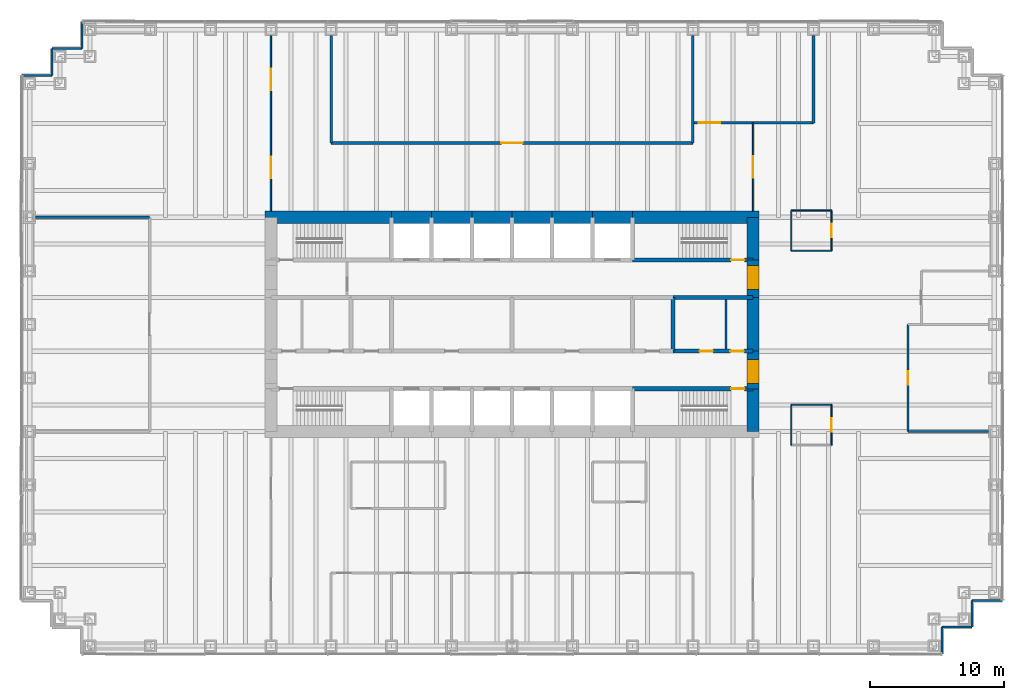
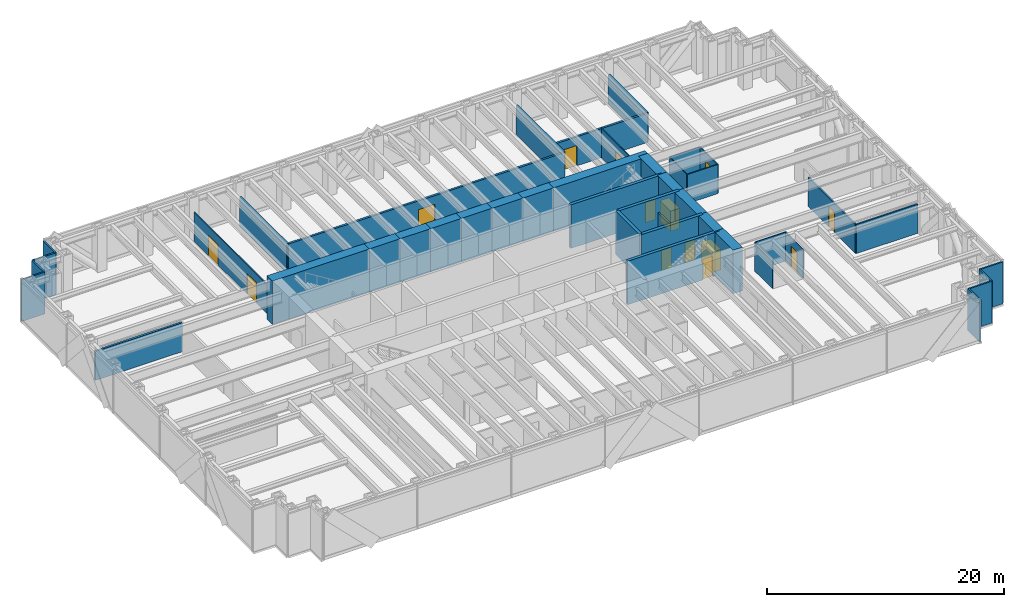
# One storey, part 11 of 13: 44 walls, 14 doors, 14 openings.
"""IFC4 building model written with IfcOpenShell, lengths in metres."""

from ifc_helpers import new_model, si_unit, direction, frame, frame_2d, origin, place, context, subcontext, project, spatial, rectangle, extrude, material, layer, layer_set, type_object, element, fill, save


model = new_model("IFC4")

# Units and contexts
model_context = context("Model", 3, precision=1e-05, world=origin(), true_north=direction((0.0, 1.0)))
body_context = subcontext(model_context, "Body", "Model", "MODEL_VIEW")
ifc_project = project(units=[si_unit("LENGTHUNIT", "METRE"), si_unit("AREAUNIT", "SQUARE_METRE"), si_unit("VOLUMEUNIT", "CUBIC_METRE"), si_unit("PLANEANGLEUNIT", "RADIAN"), si_unit("MASSUNIT", "GRAM", prefix="KILO")], contexts=[model_context])

# Site, building, storey
site_placement = place(None, origin())
site = spatial("IfcSite", under=ifc_project, at=site_placement, CompositionType="ELEMENT")
building_placement = place(site_placement, origin())
building = spatial("IfcBuilding", under=site, at=building_placement, Name="Rheinbord Bourse Tower", CompositionType="ELEMENT")
storey_placement = place(building_placement, frame((0.0, 0.0, 27.5)))
storey = spatial("IfcBuildingStorey", under=building, at=storey_placement, Name="L05", CompositionType="ELEMENT", Elevation=27.5)

# Wall
ifc_material_1 = material(Name="Acoustic gypsum board partition", Category="gypsum board")
ifc_layer_1 = layer(ifc_material_1, 0.199951171875)
ifc_layer_set_1 = layer_set([ifc_layer_1], Name="ACOUSTIC PARTITION 200")
wall_type_1 = type_object("IfcWallType", Name="ACOUSTIC PARTITION 200", PredefinedType="PARTITIONING", material=ifc_layer_set_1)
wall_1_placement = place(storey_placement, frame((0.449951171875, 32.0, 0.0), z_axis=(0.0, 0.0, 1.0), x_axis=(1.0, 0.0, 0.0)))
element("IfcWall", 1, at=wall_1_placement, inside=storey, type_object=wall_type_1, Name="Partition L05-13", PredefinedType="PARTITIONING", context=body_context, shape_type="SweptSolid", body=[
    extrude(rectangle(XDim=8.5, YDim=0.199951171875, at=frame_2d((4.25, 0.0))), origin(), (0.0, 0.0, 1.0), 3.0),
])

# Wall, opening, door
wall_2_placement = place(storey_placement, frame((22.5, 37.550048828125, 0.0), z_axis=(0.0, 0.0, 1.0), x_axis=(1.0, 0.0, 0.0)))
wall_2 = element("IfcWall", 2, at=wall_2_placement, inside=storey, type_object=wall_type_1, Name="Partition L05-15", PredefinedType="PARTITIONING", context=body_context, shape_type="SweptSolid", body=[
    extrude(rectangle(XDim=27.0, YDim=0.199951171875, at=frame_2d((13.5, 0.0))), origin(), (0.0, 0.0, 1.0), 3.0),
])
opening_1_placement = place(wall_2_placement, frame((12.699951171875, 0.0, 0.0)))
opening_1 = element("IfcOpeningElement", 3, at=opening_1_placement, cuts=wall_2, Name="Opening 05D13", PredefinedType="OPENING", context=body_context, shape_type="SweptSolid", body=[
    extrude(rectangle(XDim=1.60009765625, YDim=2.10009765625, at=frame_2d((0.800048828125, 1.050048828125))), frame((0.0, 0.10986328125, 0.0), z_axis=(0.0, -1.0, 0.0), x_axis=(1.0, 0.0, 0.0)), (0.0, 0.0, 1.0), 0.219970703125),
])
ifc_material_2 = material(Name="Timber door", Category="wood")
door_type_1 = type_object("IfcDoorType", Name="DOUBLE ROOM DOOR 1600", OperationType="DOUBLE_DOOR_DOUBLE_SWING", PredefinedType="DOOR", material=ifc_material_2)
door_1_placement = place(opening_1_placement, origin())
door_1 = element("IfcDoor", 4, at=door_1_placement, inside=storey, type_object=door_type_1, Name="Market control room door L05", OperationType="SINGLE_SWING_LEFT", OverallHeight=2.10009765625, OverallWidth=1.60009765625, PredefinedType="DOOR", context=body_context, shape_type="SweptSolid", body=[
    extrude(rectangle(XDim=1.60009765625, YDim=2.10009765625, at=frame_2d((0.800048828125, 1.050048828125))), frame((0.0, 0.02490234375, 0.0), z_axis=(0.0, -1.0, 0.0), x_axis=(1.0, 0.0, 0.0)), (0.0, 0.0, 1.0), 0.050048828125),
])
fill(opening_1, door_1)

wall_3_placement = place(storey_placement, frame((49.5, 39.050048828125, 0.0), z_axis=(0.0, 0.0, 1.0), x_axis=(1.0, 0.0, 0.0)))
wall_3 = element("IfcWall", 5, at=wall_3_placement, inside=storey, type_object=wall_type_1, Name="Partition L05-16", PredefinedType="PARTITIONING", context=body_context, shape_type="SweptSolid", body=[
    extrude(rectangle(XDim=9.0, YDim=0.199951171875, at=frame_2d((4.5, 0.0))), origin(), (0.0, 0.0, 1.0), 3.0),
])
opening_2_placement = place(wall_3_placement, frame((0.449951171875, 0.0, 0.0)))
opening_2 = element("IfcOpeningElement", 6, at=opening_2_placement, cuts=wall_3, Name="Opening 05D14", PredefinedType="OPENING", context=body_context, shape_type="SweptSolid", body=[
    extrude(rectangle(XDim=1.60009765625, YDim=2.10009765625, at=frame_2d((0.800048828125, 1.050048828125))), frame((0.0, 0.10986328125, 0.0), z_axis=(0.0, -1.0, 0.0), x_axis=(1.0, 0.0, 0.0)), (0.0, 0.0, 1.0), 0.219970703125),
])
door_2_placement = place(opening_2_placement, origin())
door_2 = element("IfcDoor", 7, at=door_2_placement, inside=storey, type_object=door_type_1, Name="Incident room door L05", OperationType="SINGLE_SWING_LEFT", OverallHeight=2.10009765625, OverallWidth=1.60009765625, PredefinedType="DOOR", context=body_context, shape_type="SweptSolid", body=[
    extrude(rectangle(XDim=1.60009765625, YDim=2.10009765625, at=frame_2d((0.800048828125, 1.050048828125))), frame((0.0, 0.02490234375, 0.0), z_axis=(0.0, -1.0, 0.0), x_axis=(1.0, 0.0, 0.0)), (0.0, 0.0, 1.0), 0.050048828125),
])
fill(opening_2, door_2)

# Walls
for number, where, z_axis, x_axis, name in (
    (8, (22.5, 37.550048828125, 0.0), (0.0, 0.0, 1.0), (0.0, 1.0, 0.0), "Partition L05-21"),
    (9, (49.5, 37.550048828125, 0.0), (0.0, 0.0, 1.0), (0.0, 1.0, 0.0), "Partition L05-31"),
):
    element("IfcWall", number, at=place(storey_placement, frame(where, z_axis=z_axis, x_axis=x_axis)), inside=storey, type_object=wall_type_1, Name=name, PredefinedType="PARTITIONING", context=body_context, shape_type="SweptSolid", body=[
        extrude(rectangle(XDim=8.0, YDim=0.199951171875, at=frame_2d((4.0, 0.0))), origin(), (0.0, 0.0, 1.0), 3.0),
    ])
wall_4_placement = place(storey_placement, frame((58.5, 39.050048828125, 0.0), z_axis=(0.0, 0.0, 1.0), x_axis=(0.0, 1.0, 0.0)))
element("IfcWall", 10, at=wall_4_placement, inside=storey, type_object=wall_type_1, Name="Partition L05-36", PredefinedType="PARTITIONING", context=body_context, shape_type="SweptSolid", body=[
    extrude(rectangle(XDim=6.5, YDim=0.199951171875, at=frame_2d((3.25, 0.0))), origin(), (0.0, 0.0, 1.0), 3.0),
])

# Wall, opening, door
ifc_material_3 = material(Name="Concrete C50/60", Category="concrete")
ifc_layer_2 = layer(ifc_material_3, 0.300048828125)
ifc_layer_set_2 = layer_set([ifc_layer_2], Name="CORE INNER WALL 300")
wall_type_2 = type_object("IfcWallType", Name="CORE INNER WALL 300", PredefinedType="SOLIDWALL", material=ifc_layer_set_2)
wall_5_placement = place(storey_placement, frame((45.0, 19.199951171875, 0.0), z_axis=(0.0, 0.0, 1.0), x_axis=(1.0, 0.0, 0.0)))
wall_5 = element("IfcWall", 11, at=wall_5_placement, inside=storey, type_object=wall_type_2, Name="Core wall A8 L05", PredefinedType="SOLIDWALL", context=body_context, shape_type="SweptSolid", body=[
    extrude(rectangle(XDim=9.0, YDim=0.300048828125, at=frame_2d((4.5, 0.0))), origin(), (0.0, 0.0, 1.0), 4.5),
])
opening_3_placement = place(wall_5_placement, frame((7.35009765625, 0.0, 0.0)))
opening_3 = element("IfcOpeningElement", 12, at=opening_3_placement, cuts=wall_5, Name="Opening 0530", PredefinedType="OPENING", context=body_context, shape_type="SweptSolid", body=[
    extrude(rectangle(XDim=1.0, YDim=2.10009765625, at=frame_2d((0.5, 1.050048828125))), frame((0.0, 0.159912109375, 0.0), z_axis=(0.0, -1.0, 0.0), x_axis=(1.0, 0.0, 0.0)), (0.0, 0.0, 1.0), 0.320068359375),
])
ifc_material_4 = material(Name="Steel door", Category="steel")
door_type_2 = type_object("IfcDoorType", Name="DOOR 1000 EI30", OperationType="SINGLE_SWING_LEFT", PredefinedType="DOOR", material=ifc_material_4)
door_3_placement = place(opening_3_placement, origin())
door_3 = element("IfcDoor", 13, at=door_3_placement, inside=storey, type_object=door_type_2, Name="Stair door ST3 L05", OperationType="SINGLE_SWING_RIGHT", OverallHeight=2.10009765625, OverallWidth=1.0, PredefinedType="DOOR", context=body_context, shape_type="SweptSolid", body=[
    extrude(rectangle(XDim=1.0, YDim=2.10009765625, at=frame_2d((0.5, 1.050048828125))), frame((0.0, 0.02490234375, 0.0), z_axis=(0.0, -1.0, 0.0), x_axis=(1.0, 0.0, 0.0)), (0.0, 0.0, 1.0), 0.050048828125),
])
fill(opening_3, door_3)

wall_6_placement = place(storey_placement, frame((45.0, 28.800048828125, 0.0), z_axis=(0.0, 0.0, 1.0), x_axis=(1.0, 0.0, 0.0)))
wall_6 = element("IfcWall", 14, at=wall_6_placement, inside=storey, type_object=wall_type_2, Name="Core wall B8 L05", PredefinedType="SOLIDWALL", context=body_context, shape_type="SweptSolid", body=[
    extrude(rectangle(XDim=9.0, YDim=0.300048828125, at=frame_2d((4.5, 0.0))), origin(), (0.0, 0.0, 1.0), 4.5),
])
opening_4_placement = place(wall_6_placement, frame((7.35009765625, 0.0, 0.0)))
opening_4 = element("IfcOpeningElement", 15, at=opening_4_placement, cuts=wall_6, Name="Opening 0540", PredefinedType="OPENING", context=body_context, shape_type="SweptSolid", body=[
    extrude(rectangle(XDim=1.0, YDim=2.10009765625, at=frame_2d((0.5, 1.050048828125))), frame((0.0, 0.159912109375, 0.0), z_axis=(0.0, -1.0, 0.0), x_axis=(1.0, 0.0, 0.0)), (0.0, 0.0, 1.0), 0.320068359375),
])
door_4_placement = place(opening_4_placement, origin())
door_4 = element("IfcDoor", 16, at=door_4_placement, inside=storey, type_object=door_type_2, Name="Stair door ST4 L05", OperationType="SINGLE_SWING_RIGHT", OverallHeight=2.10009765625, OverallWidth=1.0, PredefinedType="DOOR", context=body_context, shape_type="SweptSolid", body=[
    extrude(rectangle(XDim=1.0, YDim=2.10009765625, at=frame_2d((0.5, 1.050048828125))), frame((0.0, 0.02490234375, 0.0), z_axis=(0.0, -1.0, 0.0), x_axis=(1.0, 0.0, 0.0)), (0.0, 0.0, 1.0), 0.050048828125),
])
fill(opening_4, door_4)

# Wall, openings, doors
wall_7_placement = place(storey_placement, frame((48.0, 22.0, 0.0), z_axis=(0.0, 0.0, 1.0), x_axis=(1.0, 0.0, 0.0)))
wall_7 = element("IfcWall", 17, at=wall_7_placement, inside=storey, type_object=wall_type_2, Name="Core wall C6 L05", PredefinedType="SOLIDWALL", context=body_context, shape_type="SweptSolid", body=[
    extrude(rectangle(XDim=6.0, YDim=0.300048828125, at=frame_2d((3.0, 0.0))), origin(), (0.0, 0.0, 1.0), 4.5),
])
opening_5_placement = place(wall_7_placement, frame((2.0, 0.0, 0.0)))
opening_5 = element("IfcOpeningElement", 18, at=opening_5_placement, cuts=wall_7, Name="Opening 05R6", PredefinedType="OPENING", context=body_context, shape_type="SweptSolid", body=[
    extrude(rectangle(XDim=1.0, YDim=2.10009765625, at=frame_2d((0.5, 1.050048828125))), frame((0.0, 0.159912109375, 0.0), z_axis=(0.0, -1.0, 0.0), x_axis=(1.0, 0.0, 0.0)), (0.0, 0.0, 1.0), 0.320068359375),
])
opening_6_placement = place(wall_7_placement, frame((4.300048828125, 0.0, 0.0)))
opening_6 = element("IfcOpeningElement", 19, at=opening_6_placement, cuts=wall_7, Name="Opening 05R10", PredefinedType="OPENING", context=body_context, shape_type="SweptSolid", body=[
    extrude(rectangle(XDim=1.0, YDim=2.10009765625, at=frame_2d((0.5, 1.050048828125))), frame((0.0, 0.159912109375, 0.0), z_axis=(0.0, -1.0, 0.0), x_axis=(1.0, 0.0, 0.0)), (0.0, 0.0, 1.0), 0.320068359375),
])
door_5_placement = place(opening_6_placement, origin())
door_5 = element("IfcDoor", 20, at=door_5_placement, inside=storey, type_object=door_type_2, Name="Cleaner's store door L05", OperationType="SINGLE_SWING_RIGHT", OverallHeight=2.10009765625, OverallWidth=1.0, PredefinedType="DOOR", context=body_context, shape_type="SweptSolid", body=[
    extrude(rectangle(XDim=1.0, YDim=2.10009765625, at=frame_2d((0.5, 1.050048828125))), frame((0.0, 0.02490234375, 0.0), z_axis=(0.0, -1.0, 0.0), x_axis=(1.0, 0.0, 0.0)), (0.0, 0.0, 1.0), 0.050048828125),
])
fill(opening_6, door_5)
ifc_material_5 = material(Name="Timber door", Category="wood")
door_type_3 = type_object("IfcDoorType", Name="DOOR 1000 WC", OperationType="SINGLE_SWING_LEFT", PredefinedType="DOOR", material=ifc_material_5)
door_6_placement = place(opening_5_placement, origin())
door_6 = element("IfcDoor", 21, at=door_6_placement, inside=storey, type_object=door_type_3, Name="WC women door L05", OperationType="SINGLE_SWING_LEFT", OverallHeight=2.10009765625, OverallWidth=1.0, PredefinedType="DOOR", context=body_context, shape_type="SweptSolid", body=[
    extrude(rectangle(XDim=1.0, YDim=2.10009765625, at=frame_2d((0.5, 1.050048828125))), frame((0.0, 0.02490234375, 0.0), z_axis=(0.0, -1.0, 0.0), x_axis=(1.0, 0.0, 0.0)), (0.0, 0.0, 1.0), 0.050048828125),
])
fill(opening_5, door_6)

# Walls
wall_8_placement = place(storey_placement, frame((48.0, 26.0, 0.0), z_axis=(0.0, 0.0, 1.0), x_axis=(1.0, 0.0, 0.0)))
element("IfcWall", 22, at=wall_8_placement, inside=storey, type_object=wall_type_2, Name="Core wall D6 L05", PredefinedType="SOLIDWALL", context=body_context, shape_type="SweptSolid", body=[
    extrude(rectangle(XDim=6.0, YDim=0.300048828125, at=frame_2d((3.0, 0.0))), origin(), (0.0, 0.0, 1.0), 4.5),
])
wall_9_placement = place(storey_placement, frame((48.0, 22.0, 0.0), z_axis=(0.0, 0.0, 1.0), x_axis=(0.0, 1.0, 0.0)))
element("IfcWall", 23, at=wall_9_placement, inside=storey, type_object=wall_type_2, Name="Core wall MX48 L05", PredefinedType="SOLIDWALL", context=body_context, shape_type="SweptSolid", body=[
    extrude(rectangle(XDim=4.0, YDim=0.300048828125, at=frame_2d((2.0, 0.0))), origin(), (0.0, 0.0, 1.0), 4.5),
])
ifc_material_6 = material(Name="Gypsum board fire partition", Category="gypsum board")
ifc_layer_3 = layer(ifc_material_6, 0.14990234375)
ifc_layer_set_3 = layer_set([ifc_layer_3], Name="CORE PARTITION 150 EI30")
wall_type_3 = type_object("IfcWallType", Name="CORE PARTITION 150 EI30", PredefinedType="PARTITIONING", material=ifc_layer_set_3)
wall_10_placement = place(storey_placement, frame((51.97509765625, 22.14990234375, 0.0), z_axis=(0.0, 0.0, 1.0), x_axis=(0.0, 1.0, 0.0)))
element("IfcWall", 24, at=wall_10_placement, inside=storey, type_object=wall_type_3, Name="Core partition L05-3", PredefinedType="PARTITIONING", context=body_context, shape_type="SweptSolid", body=[
    extrude(rectangle(XDim=3.7001953125, YDim=0.14990234375, at=frame_2d((1.85009765625, 0.0))), origin(), (0.0, 0.0, 1.0), 3.0),
])
ifc_material_7 = material(Name="Concrete C50/60", Category="concrete")
ifc_layer_4 = layer(ifc_material_7, 0.89990234375)
ifc_layer_set_4 = layer_set([ifc_layer_4], Name="CORE WALL 900")
wall_type_4 = type_object("IfcWallType", Name="CORE WALL 900", PredefinedType="SHEAR", material=ifc_layer_set_4)
wall_11_placement = place(storey_placement, frame((54.449951171875, 32.0, 0.0), z_axis=(0.0, 0.0, 1.0), x_axis=(-1.0, 0.0, 0.0)))
element("IfcWall", 25, at=wall_11_placement, inside=storey, type_object=wall_type_4, Name="Core wall N1 L05", PredefinedType="SHEAR", context=body_context, shape_type="SweptSolid", body=[
    extrude(rectangle(XDim=9.449951171875, YDim=0.89990234375, at=frame_2d((4.72509765625, 0.0))), origin(), (0.0, 0.0, 1.0), 4.5),
])
for number, where, z_axis, x_axis, name in (
    (26, (45.0, 32.0, 0.0), (0.0, 0.0, 1.0), (-1.0, 0.0, 0.0), "Core wall N2 L05"),
    (27, (42.0, 32.0, 0.0), (0.0, 0.0, 1.0), (-1.0, 0.0, 0.0), "Core wall N3 L05"),
    (28, (39.0, 32.0, 0.0), (0.0, 0.0, 1.0), (-1.0, 0.0, 0.0), "Core wall N4 L05"),
    (29, (36.0, 32.0, 0.0), (0.0, 0.0, 1.0), (-1.0, 0.0, 0.0), "Core wall N5 L05"),
    (30, (33.0, 32.0, 0.0), (0.0, 0.0, 1.0), (-1.0, 0.0, 0.0), "Core wall N6 L05"),
    (31, (30.0, 32.0, 0.0), (0.0, 0.0, 1.0), (-1.0, 0.0, 0.0), "Core wall N7 L05"),
):
    element("IfcWall", number, at=place(storey_placement, frame(where, z_axis=z_axis, x_axis=x_axis)), inside=storey, type_object=wall_type_4, Name=name, PredefinedType="SHEAR", context=body_context, shape_type="SweptSolid", body=[
        extrude(rectangle(XDim=3.0, YDim=0.89990234375, at=frame_2d((1.5, 0.0))), origin(), (0.0, 0.0, 1.0), 4.5),
    ])
wall_12_placement = place(storey_placement, frame((27.0, 32.0, 0.0), z_axis=(0.0, 0.0, 1.0), x_axis=(-1.0, 0.0, 0.0)))
element("IfcWall", 32, at=wall_12_placement, inside=storey, type_object=wall_type_4, Name="Core wall N8 L05", PredefinedType="SHEAR", context=body_context, shape_type="SweptSolid", body=[
    extrude(rectangle(XDim=9.449951171875, YDim=0.89990234375, at=frame_2d((4.72509765625, 0.0))), origin(), (0.0, 0.0, 1.0), 4.5),
])
wall_13_placement = place(storey_placement, frame((54.0, 16.0, 0.0), z_axis=(0.0, 0.0, 1.0), x_axis=(0.0, 1.0, 0.0)))
element("IfcWall", 33, at=wall_13_placement, inside=storey, type_object=wall_type_4, Name="Core wall E1 L05", PredefinedType="SHEAR", context=body_context, shape_type="SweptSolid", body=[
    extrude(rectangle(XDim=3.199951171875, YDim=0.89990234375, at=frame_2d((1.60009765625, 0.0))), origin(), (0.0, 0.0, 1.0), 4.5),
])

# Wall, opening, door
wall_14_placement = place(storey_placement, frame((54.0, 19.199951171875, 0.0), z_axis=(0.0, 0.0, 1.0), x_axis=(0.0, 1.0, 0.0)))
wall_14 = element("IfcWall", 34, at=wall_14_placement, inside=storey, type_object=wall_type_4, Name="Core wall E2 L05", PredefinedType="SHEAR", context=body_context, shape_type="SweptSolid", body=[
    extrude(rectangle(XDim=2.800048828125, YDim=0.89990234375, at=frame_2d((1.39990234375, 0.0))), origin(), (0.0, 0.0, 1.0), 4.5),
])
opening_7_placement = place(wall_14_placement, frame((0.39990234375, 0.0, 0.0)))
opening_7 = element("IfcOpeningElement", 35, at=opening_7_placement, cuts=wall_14, Name="Opening 05L3", PredefinedType="OPENING", context=body_context, shape_type="SweptSolid", body=[
    extrude(rectangle(XDim=1.800048828125, YDim=2.10009765625, at=frame_2d((0.89990234375, 1.050048828125))), frame((0.0, 0.4599609375, 0.0), z_axis=(0.0, -1.0, 0.0), x_axis=(1.0, 0.0, 0.0)), (0.0, 0.0, 1.0), 0.919921875),
])
ifc_material_8 = material(Name="Steel door", Category="steel")
door_type_4 = type_object("IfcDoorType", Name="DOOR 1800 EI30 DOUBLE", OperationType="DOUBLE_DOOR_DOUBLE_SWING", PredefinedType="DOOR", material=ifc_material_8)
door_7_placement = place(opening_7_placement, origin())
door_7 = element("IfcDoor", 36, at=door_7_placement, inside=storey, type_object=door_type_4, Name="Lobby door 3 L05", OperationType="SINGLE_SWING_LEFT", OverallHeight=2.10009765625, OverallWidth=1.800048828125, PredefinedType="DOOR", context=body_context, shape_type="SweptSolid", body=[
    extrude(rectangle(XDim=1.800048828125, YDim=2.10009765625, at=frame_2d((0.89990234375, 1.050048828125))), frame((0.0, 0.44970703125, 0.0), z_axis=(0.0, -1.0, 0.0), x_axis=(1.0, 0.0, 0.0)), (0.0, 0.0, 1.0), 0.8994140625),
])
fill(opening_7, door_7)

# Wall
wall_15_placement = place(storey_placement, frame((54.0, 22.0, 0.0), z_axis=(0.0, 0.0, 1.0), x_axis=(0.0, 1.0, 0.0)))
element("IfcWall", 37, at=wall_15_placement, inside=storey, type_object=wall_type_4, Name="Core wall E3 L05", PredefinedType="SHEAR", context=body_context, shape_type="SweptSolid", body=[
    extrude(rectangle(XDim=4.0, YDim=0.89990234375, at=frame_2d((2.0, 0.0))), origin(), (0.0, 0.0, 1.0), 4.5),
])

# Wall, opening, door
wall_16_placement = place(storey_placement, frame((54.0, 26.0, 0.0), z_axis=(0.0, 0.0, 1.0), x_axis=(0.0, 1.0, 0.0)))
wall_16 = element("IfcWall", 38, at=wall_16_placement, inside=storey, type_object=wall_type_4, Name="Core wall E4 L05", PredefinedType="SHEAR", context=body_context, shape_type="SweptSolid", body=[
    extrude(rectangle(XDim=2.800048828125, YDim=0.89990234375, at=frame_2d((1.39990234375, 0.0))), origin(), (0.0, 0.0, 1.0), 4.5),
])
opening_8_placement = place(wall_16_placement, frame((0.60009765625, 0.0, 0.0)))
opening_8 = element("IfcOpeningElement", 39, at=opening_8_placement, cuts=wall_16, Name="Opening 05L4", PredefinedType="OPENING", context=body_context, shape_type="SweptSolid", body=[
    extrude(rectangle(XDim=1.800048828125, YDim=2.10009765625, at=frame_2d((0.89990234375, 1.050048828125))), frame((0.0, 0.4599609375, 0.0), z_axis=(0.0, -1.0, 0.0), x_axis=(1.0, 0.0, 0.0)), (0.0, 0.0, 1.0), 0.919921875),
])
door_8_placement = place(opening_8_placement, origin())
door_8 = element("IfcDoor", 40, at=door_8_placement, inside=storey, type_object=door_type_4, Name="Lobby door 4 L05", OperationType="SINGLE_SWING_LEFT", OverallHeight=2.10009765625, OverallWidth=1.800048828125, PredefinedType="DOOR", context=body_context, shape_type="SweptSolid", body=[
    extrude(rectangle(XDim=1.800048828125, YDim=2.10009765625, at=frame_2d((0.89990234375, 1.050048828125))), frame((0.0, 0.44970703125, 0.0), z_axis=(0.0, -1.0, 0.0), x_axis=(1.0, 0.0, 0.0)), (0.0, 0.0, 1.0), 0.8994140625),
])
fill(opening_8, door_8)

# Walls
wall_17_placement = place(storey_placement, frame((54.0, 28.800048828125, 0.0), z_axis=(0.0, 0.0, 1.0), x_axis=(0.0, 1.0, 0.0)))
element("IfcWall", 41, at=wall_17_placement, inside=storey, type_object=wall_type_4, Name="Core wall E5 L05", PredefinedType="SHEAR", context=body_context, shape_type="SweptSolid", body=[
    extrude(rectangle(XDim=3.199951171875, YDim=0.89990234375, at=frame_2d((1.60009765625, 0.0))), origin(), (0.0, 0.0, 1.0), 4.5),
])
ifc_material_9 = material(Name="Black metal rainscreen panel", Category="aluminium")
ifc_layer_5 = layer(ifc_material_9, 0.14990234375)
ifc_layer_set_5 = layer_set([ifc_layer_5], Name="CORNER PIER CLADDING 150")
wall_type_5 = type_object("IfcWallType", Name="CORNER PIER CLADDING 150", PredefinedType="ELEMENTEDWALL", material=ifc_layer_set_5)
wall_18_placement = place(storey_placement, frame((68.10009765625, -0.60009765625, 0.0), z_axis=(0.0, 0.0, 1.0), x_axis=(0.0, 1.0, 0.0)))
element("IfcWall", 42, at=wall_18_placement, inside=storey, type_object=wall_type_5, Name="Corner pier cladding L05 2", PredefinedType="ELEMENTEDWALL", context=body_context, shape_type="SweptSolid", body=[
    extrude(rectangle(XDim=2.0, YDim=0.14990234375, at=frame_2d((1.0, 0.0))), origin(), (0.0, 0.0, 1.0), 4.320068359375),
])
wall_19_placement = place(storey_placement, frame((68.10009765625, 1.39990234375, 0.0), z_axis=(0.0, 0.0, 1.0), x_axis=(1.0, 0.0, 0.0)))
element("IfcWall", 43, at=wall_19_placement, inside=storey, type_object=wall_type_5, Name="Corner pier cladding L05 3", PredefinedType="ELEMENTEDWALL", context=body_context, shape_type="SweptSolid", body=[
    extrude(rectangle(XDim=2.25, YDim=0.14990234375, at=frame_2d((1.125, 0.0))), origin(), (0.0, 0.0, 1.0), 4.320068359375),
])
wall_20_placement = place(storey_placement, frame((70.35009765625, 1.39990234375, 0.0), z_axis=(0.0, 0.0, 1.0), x_axis=(0.0, 1.0, 0.0)))
element("IfcWall", 44, at=wall_20_placement, inside=storey, type_object=wall_type_5, Name="Corner pier cladding L05 4", PredefinedType="ELEMENTEDWALL", context=body_context, shape_type="SweptSolid", body=[
    extrude(rectangle(XDim=2.0, YDim=0.14990234375, at=frame_2d((1.0, 0.0))), origin(), (0.0, 0.0, 1.0), 4.320068359375),
])
wall_21_placement = place(storey_placement, frame((70.35009765625, 3.39990234375, 0.0), z_axis=(0.0, 0.0, 1.0), x_axis=(1.0, 0.0, 0.0)))
element("IfcWall", 45, at=wall_21_placement, inside=storey, type_object=wall_type_5, Name="Corner pier cladding L05 5", PredefinedType="ELEMENTEDWALL", context=body_context, shape_type="SweptSolid", body=[
    extrude(rectangle(XDim=2.25, YDim=0.14990234375, at=frame_2d((1.125, 0.0))), origin(), (0.0, 0.0, 1.0), 4.320068359375),
])
wall_22_placement = place(storey_placement, frame((3.89990234375, 46.60009765625, 0.0), z_axis=(0.0, 0.0, 1.0), x_axis=(0.0, -1.0, 0.0)))
element("IfcWall", 46, at=wall_22_placement, inside=storey, type_object=wall_type_5, Name="Corner pier cladding L05 12", PredefinedType="ELEMENTEDWALL", context=body_context, shape_type="SweptSolid", body=[
    extrude(rectangle(XDim=2.0, YDim=0.14990234375, at=frame_2d((1.0, 0.0))), origin(), (0.0, 0.0, 1.0), 4.320068359375),
])
wall_23_placement = place(storey_placement, frame((3.89990234375, 44.60009765625, 0.0), z_axis=(0.0, 0.0, 1.0), x_axis=(-1.0, 0.0, 0.0)))
element("IfcWall", 47, at=wall_23_placement, inside=storey, type_object=wall_type_5, Name="Corner pier cladding L05 13", PredefinedType="ELEMENTEDWALL", context=body_context, shape_type="SweptSolid", body=[
    extrude(rectangle(XDim=2.25, YDim=0.14990234375, at=frame_2d((1.125, 0.0))), origin(), (0.0, 0.0, 1.0), 4.320068359375),
])
wall_24_placement = place(storey_placement, frame((1.64990234375, 44.60009765625, 0.0), z_axis=(0.0, 0.0, 1.0), x_axis=(0.0, -1.0, 0.0)))
element("IfcWall", 48, at=wall_24_placement, inside=storey, type_object=wall_type_5, Name="Corner pier cladding L05 14", PredefinedType="ELEMENTEDWALL", context=body_context, shape_type="SweptSolid", body=[
    extrude(rectangle(XDim=2.0, YDim=0.14990234375, at=frame_2d((1.0, 0.0))), origin(), (0.0, 0.0, 1.0), 4.320068359375),
])
wall_25_placement = place(storey_placement, frame((1.64990234375, 42.60009765625, 0.0), z_axis=(0.0, 0.0, 1.0), x_axis=(-1.0, 0.0, 0.0)))
element("IfcWall", 49, at=wall_25_placement, inside=storey, type_object=wall_type_5, Name="Corner pier cladding L05 15", PredefinedType="ELEMENTEDWALL", context=body_context, shape_type="SweptSolid", body=[
    extrude(rectangle(XDim=2.25, YDim=0.14990234375, at=frame_2d((1.125, 0.0))), origin(), (0.0, 0.0, 1.0), 4.320068359375),
])
ifc_material_10 = material(Name="Toughened laminated glass partition", Category="glass")
ifc_layer_6 = layer(ifc_material_10, 0.10009765625)
ifc_layer_set_6 = layer_set([ifc_layer_6], Name="GLAZED PARTITION 100")
wall_type_6 = type_object("IfcWallType", Name="GLAZED PARTITION 100", PredefinedType="PARTITIONING", material=ifc_layer_set_6)
for number, where, z_axis, x_axis, name in (
    (50, (56.85009765625, 18.0, 0.0), (0.0, 0.0, 1.0), (1.0, 0.0, 0.0), "Partition L05-09"),
    (51, (56.85009765625, 29.5, 0.0), (0.0, 0.0, 1.0), (1.0, 0.0, 0.0), "Partition L05-12"),
    (52, (56.85009765625, 32.5, 0.0), (0.0, 0.0, 1.0), (1.0, 0.0, 0.0), "Partition L05-14"),
):
    element("IfcWall", number, at=place(storey_placement, frame(where, z_axis=z_axis, x_axis=x_axis)), inside=storey, type_object=wall_type_6, Name=name, PredefinedType="PARTITIONING", context=body_context, shape_type="SweptSolid", body=[
        extrude(rectangle(XDim=3.0, YDim=0.10009765625, at=frame_2d((1.5, 0.0))), origin(), (0.0, 0.0, 1.0), 3.0),
    ])

# Wall, openings, doors
wall_26_placement = place(storey_placement, frame((18.0, 32.449951171875, 0.0), z_axis=(0.0, 0.0, 1.0), x_axis=(0.0, 1.0, 0.0)))
wall_26 = element("IfcWall", 53, at=wall_26_placement, inside=storey, type_object=wall_type_6, Name="Partition L05-19", PredefinedType="PARTITIONING", context=body_context, shape_type="SweptSolid", body=[
    extrude(rectangle(XDim=13.10009765625, YDim=0.10009765625, at=frame_2d((6.550048828125, 0.0))), origin(), (0.0, 0.0, 1.0), 3.0),
])
opening_9_placement = place(wall_26_placement, frame((2.47509765625, 0.0, 0.0)))
opening_9 = element("IfcOpeningElement", 54, at=opening_9_placement, cuts=wall_26, Name="Opening 05D17", PredefinedType="OPENING", context=body_context, shape_type="SweptSolid", body=[
    extrude(rectangle(XDim=1.60009765625, YDim=2.10009765625, at=frame_2d((0.800048828125, 1.050048828125))), frame((0.0, 0.06005859375, 0.0), z_axis=(0.0, -1.0, 0.0), x_axis=(1.0, 0.0, 0.0)), (0.0, 0.0, 1.0), 0.1201171875),
])
opening_10_placement = place(wall_26_placement, frame((9.02490234375, 0.0, 0.0)))
opening_10 = element("IfcOpeningElement", 55, at=opening_10_placement, cuts=wall_26, Name="Opening 05D18", PredefinedType="OPENING", context=body_context, shape_type="SweptSolid", body=[
    extrude(rectangle(XDim=1.60009765625, YDim=2.10009765625, at=frame_2d((0.800048828125, 1.050048828125))), frame((0.0, 0.06005859375, 0.0), z_axis=(0.0, -1.0, 0.0), x_axis=(1.0, 0.0, 0.0)), (0.0, 0.0, 1.0), 0.1201171875),
])
door_9_placement = place(opening_9_placement, origin())
door_9 = element("IfcDoor", 56, at=door_9_placement, inside=storey, type_object=door_type_1, Name="Open area door L05", OperationType="SINGLE_SWING_LEFT", OverallHeight=2.10009765625, OverallWidth=1.60009765625, PredefinedType="DOOR", context=body_context, shape_type="SweptSolid", body=[
    extrude(rectangle(XDim=1.60009765625, YDim=2.10009765625, at=frame_2d((0.800048828125, 1.050048828125))), frame((0.0, 0.02490234375, 0.0), z_axis=(0.0, -1.0, 0.0), x_axis=(1.0, 0.0, 0.0)), (0.0, 0.0, 1.0), 0.050048828125),
])
fill(opening_9, door_9)
door_10_placement = place(opening_10_placement, origin())
door_10 = element("IfcDoor", 57, at=door_10_placement, inside=storey, type_object=door_type_1, Name="Open area door L05", OperationType="SINGLE_SWING_LEFT", OverallHeight=2.10009765625, OverallWidth=1.60009765625, PredefinedType="DOOR", context=body_context, shape_type="SweptSolid", body=[
    extrude(rectangle(XDim=1.60009765625, YDim=2.10009765625, at=frame_2d((0.800048828125, 1.050048828125))), frame((0.0, 0.02490234375, 0.0), z_axis=(0.0, -1.0, 0.0), x_axis=(1.0, 0.0, 0.0)), (0.0, 0.0, 1.0), 0.050048828125),
])
fill(opening_10, door_10)

# Wall, opening, door
wall_27_placement = place(storey_placement, frame((54.0, 32.449951171875, 0.0), z_axis=(0.0, 0.0, 1.0), x_axis=(0.0, 1.0, 0.0)))
wall_27 = element("IfcWall", 58, at=wall_27_placement, inside=storey, type_object=wall_type_6, Name="Partition L05-33", PredefinedType="PARTITIONING", context=body_context, shape_type="SweptSolid", body=[
    extrude(rectangle(XDim=6.60009765625, YDim=0.10009765625, at=frame_2d((3.300048828125, 0.0))), origin(), (0.0, 0.0, 1.0), 3.0),
])
opening_11_placement = place(wall_27_placement, frame((2.5, 0.0, 0.0)))
opening_11 = element("IfcOpeningElement", 59, at=opening_11_placement, cuts=wall_27, Name="Opening 05D21", PredefinedType="OPENING", context=body_context, shape_type="SweptSolid", body=[
    extrude(rectangle(XDim=1.60009765625, YDim=2.10009765625, at=frame_2d((0.800048828125, 1.050048828125))), frame((0.0, 0.06005859375, 0.0), z_axis=(0.0, -1.0, 0.0), x_axis=(1.0, 0.0, 0.0)), (0.0, 0.0, 1.0), 0.1201171875),
])
door_11_placement = place(opening_11_placement, origin())
door_11 = element("IfcDoor", 60, at=door_11_placement, inside=storey, type_object=door_type_1, Name="Open area door L05", OperationType="SINGLE_SWING_LEFT", OverallHeight=2.10009765625, OverallWidth=1.60009765625, PredefinedType="DOOR", context=body_context, shape_type="SweptSolid", body=[
    extrude(rectangle(XDim=1.60009765625, YDim=2.10009765625, at=frame_2d((0.800048828125, 1.050048828125))), frame((0.0, 0.02490234375, 0.0), z_axis=(0.0, -1.0, 0.0), x_axis=(1.0, 0.0, 0.0)), (0.0, 0.0, 1.0), 0.050048828125),
])
fill(opening_11, door_11)

# Walls
for number, where, z_axis, x_axis, name in (
    (61, (56.85009765625, 15.0, 0.0), (0.0, 0.0, 1.0), (0.0, 1.0, 0.0), "Partition L05-34"),
    (62, (56.85009765625, 29.5, 0.0), (0.0, 0.0, 1.0), (0.0, 1.0, 0.0), "Partition L05-35"),
):
    element("IfcWall", number, at=place(storey_placement, frame(where, z_axis=z_axis, x_axis=x_axis)), inside=storey, type_object=wall_type_6, Name=name, PredefinedType="PARTITIONING", context=body_context, shape_type="SweptSolid", body=[
        extrude(rectangle(XDim=3.0, YDim=0.10009765625, at=frame_2d((1.5, 0.0))), origin(), (0.0, 0.0, 1.0), 3.0),
    ])

# Wall, opening, door
wall_28_placement = place(storey_placement, frame((59.85009765625, 15.0, 0.0), z_axis=(0.0, 0.0, 1.0), x_axis=(0.0, 1.0, 0.0)))
wall_28 = element("IfcWall", 63, at=wall_28_placement, inside=storey, type_object=wall_type_6, Name="Partition L05-37", PredefinedType="PARTITIONING", context=body_context, shape_type="SweptSolid", body=[
    extrude(rectangle(XDim=3.0, YDim=0.10009765625, at=frame_2d((1.5, 0.0))), origin(), (0.0, 0.0, 1.0), 3.0),
])
opening_12_placement = place(wall_28_placement, frame((1.0, 0.0, 0.0)))
opening_12 = element("IfcOpeningElement", 64, at=opening_12_placement, cuts=wall_28, Name="Opening 05D08", PredefinedType="OPENING", context=body_context, shape_type="SweptSolid", body=[
    extrude(rectangle(XDim=1.0, YDim=2.10009765625, at=frame_2d((0.5, 1.050048828125))), frame((0.0, 0.06005859375, 0.0), z_axis=(0.0, -1.0, 0.0), x_axis=(1.0, 0.0, 0.0)), (0.0, 0.0, 1.0), 0.1201171875),
])
ifc_material_11 = material(Name="Timber door", Category="wood")
door_type_5 = type_object("IfcDoorType", Name="ROOM DOOR 1000", OperationType="SINGLE_SWING_LEFT", PredefinedType="DOOR", material=ifc_material_11)
door_12_placement = place(opening_12_placement, origin())
door_12 = element("IfcDoor", 65, at=door_12_placement, inside=storey, type_object=door_type_5, Name="Quiet room door L05", OperationType="SINGLE_SWING_LEFT", OverallHeight=2.10009765625, OverallWidth=1.0, PredefinedType="DOOR", context=body_context, shape_type="SweptSolid", body=[
    extrude(rectangle(XDim=1.0, YDim=2.10009765625, at=frame_2d((0.5, 1.050048828125))), frame((0.0, 0.02490234375, 0.0), z_axis=(0.0, -1.0, 0.0), x_axis=(1.0, 0.0, 0.0)), (0.0, 0.0, 1.0), 0.050048828125),
])
fill(opening_12, door_12)

wall_29_placement = place(storey_placement, frame((59.85009765625, 29.5, 0.0), z_axis=(0.0, 0.0, 1.0), x_axis=(0.0, 1.0, 0.0)))
wall_29 = element("IfcWall", 66, at=wall_29_placement, inside=storey, type_object=wall_type_6, Name="Partition L05-38", PredefinedType="PARTITIONING", context=body_context, shape_type="SweptSolid", body=[
    extrude(rectangle(XDim=3.0, YDim=0.10009765625, at=frame_2d((1.5, 0.0))), origin(), (0.0, 0.0, 1.0), 3.0),
])
opening_13_placement = place(wall_29_placement, frame((1.0, 0.0, 0.0)))
opening_13 = element("IfcOpeningElement", 67, at=opening_13_placement, cuts=wall_29, Name="Opening 05D12", PredefinedType="OPENING", context=body_context, shape_type="SweptSolid", body=[
    extrude(rectangle(XDim=1.0, YDim=2.10009765625, at=frame_2d((0.5, 1.050048828125))), frame((0.0, 0.06005859375, 0.0), z_axis=(0.0, -1.0, 0.0), x_axis=(1.0, 0.0, 0.0)), (0.0, 0.0, 1.0), 0.1201171875),
])
door_13_placement = place(opening_13_placement, origin())
door_13 = element("IfcDoor", 68, at=door_13_placement, inside=storey, type_object=door_type_5, Name="Quiet room door L05", OperationType="SINGLE_SWING_LEFT", OverallHeight=2.10009765625, OverallWidth=1.0, PredefinedType="DOOR", context=body_context, shape_type="SweptSolid", body=[
    extrude(rectangle(XDim=1.0, YDim=2.10009765625, at=frame_2d((0.5, 1.050048828125))), frame((0.0, 0.02490234375, 0.0), z_axis=(0.0, -1.0, 0.0), x_axis=(1.0, 0.0, 0.0)), (0.0, 0.0, 1.0), 0.050048828125),
])
fill(opening_13, door_13)

# Wall
ifc_material_12 = material(Name="Gypsum board partition", Category="gypsum board")
ifc_layer_7 = layer(ifc_material_12, 0.14990234375)
ifc_layer_set_7 = layer_set([ifc_layer_7], Name="PARTITION 150")
wall_type_7 = type_object("IfcWallType", Name="PARTITION 150", PredefinedType="PARTITIONING", material=ifc_layer_set_7)
wall_30_placement = place(storey_placement, frame((65.550048828125, 16.0, 0.0), z_axis=(0.0, 0.0, 1.0), x_axis=(1.0, 0.0, 0.0)))
element("IfcWall", 69, at=wall_30_placement, inside=storey, type_object=wall_type_7, Name="Partition L05-08", PredefinedType="PARTITIONING", context=body_context, shape_type="SweptSolid", body=[
    extrude(rectangle(XDim=6.0, YDim=0.14990234375, at=frame_2d((3.0, 0.0))), origin(), (0.0, 0.0, 1.0), 3.0),
])

# Wall, opening, door
wall_31_placement = place(storey_placement, frame((65.550048828125, 16.0, 0.0), z_axis=(0.0, 0.0, 1.0), x_axis=(0.0, 1.0, 0.0)))
wall_31 = element("IfcWall", 70, at=wall_31_placement, inside=storey, type_object=wall_type_7, Name="Partition L05-39", PredefinedType="PARTITIONING", context=body_context, shape_type="SweptSolid", body=[
    extrude(rectangle(XDim=8.0, YDim=0.14990234375, at=frame_2d((4.0, 0.0))), origin(), (0.0, 0.0, 1.0), 3.0),
])
opening_14_placement = place(wall_31_placement, frame((3.5, 0.0, 0.0)))
opening_14 = element("IfcOpeningElement", 71, at=opening_14_placement, cuts=wall_31, Name="Opening 05D09", PredefinedType="OPENING", context=body_context, shape_type="SweptSolid", body=[
    extrude(rectangle(XDim=1.0, YDim=2.10009765625, at=frame_2d((0.5, 1.050048828125))), frame((0.0, 0.0849609375, 0.0), z_axis=(0.0, -1.0, 0.0), x_axis=(1.0, 0.0, 0.0)), (0.0, 0.0, 1.0), 0.169921875),
])
door_14_placement = place(opening_14_placement, origin())
door_14 = element("IfcDoor", 72, at=door_14_placement, inside=storey, type_object=door_type_5, Name="Pantry door L05", OperationType="SINGLE_SWING_LEFT", OverallHeight=2.10009765625, OverallWidth=1.0, PredefinedType="DOOR", context=body_context, shape_type="SweptSolid", body=[
    extrude(rectangle(XDim=1.0, YDim=2.10009765625, at=frame_2d((0.5, 1.050048828125))), frame((0.0, 0.02490234375, 0.0), z_axis=(0.0, -1.0, 0.0), x_axis=(1.0, 0.0, 0.0)), (0.0, 0.0, 1.0), 0.050048828125),
])
fill(opening_14, door_14)

save(model, "model.ifc")
